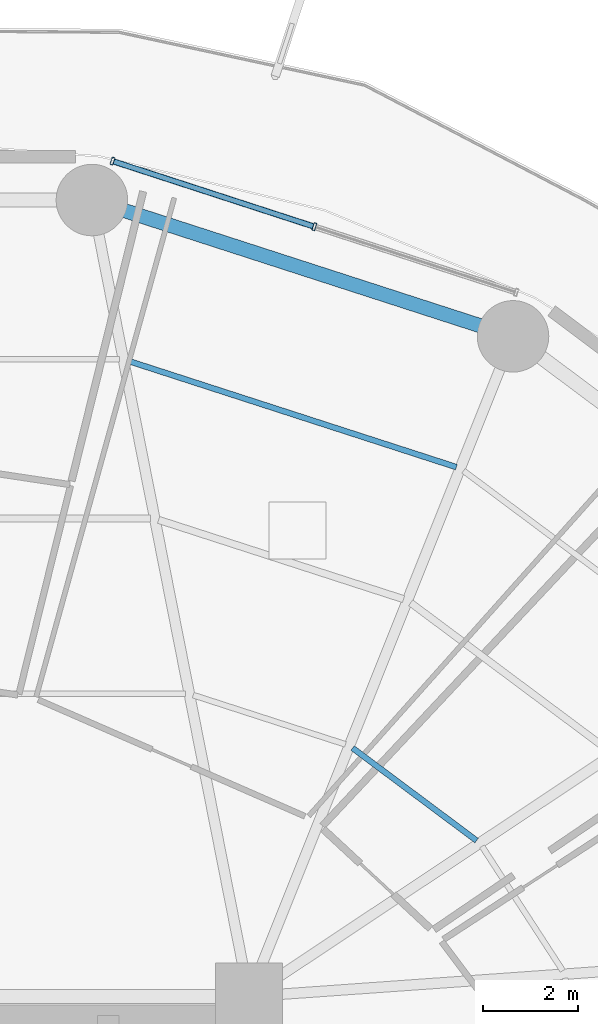
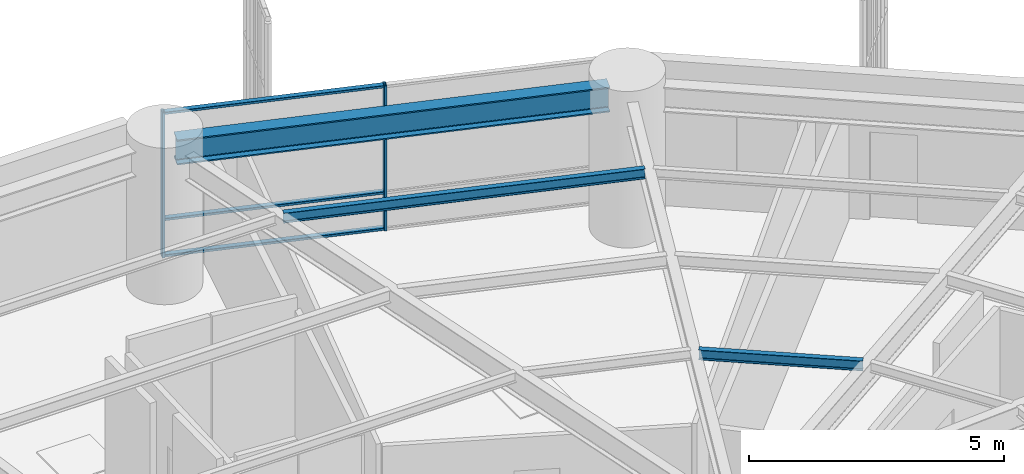
# One storey, part 19 of 35: 5 members, 3 beams, 1 element without a shape of its own.
"""IFC4 building model written with IfcOpenShell, lengths in metres."""

from ifc_helpers import new_model, si_unit, direction, frame, origin, origin_2d, place, context, subcontext, project, spatial, hollow_rectangle, i_section, extrude, material, layer, layer_set, material_profile, profile_set, type_object, element, aggregate, save


model = new_model("IFC4")

# Units and contexts
model_context = context("Model", 3, precision=1e-05, world=origin(), true_north=direction((0.0, 1.0)))
body_context = subcontext(model_context, "Body", "Model", "MODEL_VIEW")
ifc_project = project(units=[si_unit("LENGTHUNIT", "METRE"), si_unit("AREAUNIT", "SQUARE_METRE"), si_unit("VOLUMEUNIT", "CUBIC_METRE"), si_unit("PLANEANGLEUNIT", "RADIAN"), si_unit("MASSUNIT", "GRAM", prefix="KILO")], contexts=[model_context])

# Site, building, storey
site_placement = place(None, origin())
site = spatial("IfcSite", under=ifc_project, at=site_placement, CompositionType="ELEMENT")
building_placement = place(site_placement, origin())
building = spatial("IfcBuilding", under=site, at=building_placement, Name="Kelanora Arch Commons", CompositionType="ELEMENT")
storey_placement = place(building_placement, frame((0.0, 0.0, 22.5)))
storey = spatial("IfcBuildingStorey", under=building, at=storey_placement, Name="L05", CompositionType="ELEMENT", Elevation=22.5)

# Beams
ifc_material_1 = material(Name="Steel S355", Category="steel")
ifc_material_profile_1 = material_profile(ifc_material_1, i_section(OverallWidth=0.1201171875, OverallDepth=0.239990234375, WebThickness=0.006103515625, FlangeThickness=0.009765625, FilletRadius=0.014892578125, at=origin_2d()), Name="IPE240")
ifc_profile_set_1 = profile_set([ifc_material_profile_1], Name="Steel S355")
beam_type_1 = type_object("IfcBeamType", Name="BM-JST-02", PredefinedType="JOIST", material=ifc_profile_set_1)
beam_1_placement = place(storey_placement, frame((86.77490234375, 68.272705078125, 3.3701171875), z_axis=(-0.801513822608, 0.59797624716, 0.0), x_axis=(-0.59797624716, -0.801513822608, 0.0)))
element("IfcBeam", 1, at=beam_1_placement, inside=storey, type_object=beam_type_1, Name="Secondary Chord Joist BJA-04 L05", PredefinedType="JOIST", context=body_context, shape_type="SweptSolid", body=[
    extrude(i_section(OverallWidth=0.1201171875, OverallDepth=0.239990234375, WebThickness=0.006103515625, FlangeThickness=0.009765625, FilletRadius=0.014892578125, at=origin_2d()), origin(), (0.0, 0.0, 1.0), 3.245849609375),
])
beam_2_placement = place(storey_placement, frame((86.35107421875, 76.109375, 3.3701171875), z_axis=(-0.951410915705, 0.307924129418, 0.0), x_axis=(-0.307924129418, -0.951410915705, 0.0)))
element("IfcBeam", 2, at=beam_2_placement, inside=storey, type_object=beam_type_1, Name="Secondary Chord Joist BJC-06 L05", PredefinedType="JOIST", context=body_context, shape_type="SweptSolid", body=[
    extrude(i_section(OverallWidth=0.1201171875, OverallDepth=0.239990234375, WebThickness=0.006103515625, FlangeThickness=0.009765625, FilletRadius=0.014892578125, at=origin_2d()), origin(), (0.0, 0.0, 1.0), 7.260986328125),
])
ifc_material_profile_2 = material_profile(ifc_material_1, i_section(OverallWidth=0.300048828125, OverallDepth=0.60009765625, WebThickness=0.015380859375, FlangeThickness=0.030029296875, FilletRadius=0.027099609375, at=origin_2d()), Name="HEB600")
ifc_profile_set_2 = profile_set([ifc_material_profile_2], Name="Steel S355")
beam_type_2 = type_object("IfcBeamType", Name="BM-SPN-Z1", PredefinedType="SPANDREL", material=ifc_profile_set_2)
beam_3_placement = place(storey_placement, frame((87.178466796875, 78.970947265625, 3.18994140625), z_axis=(-0.951411839042, 0.307921276515, 0.0), x_axis=(-0.307921276515, -0.951411839042, 0.0)))
element("IfcBeam", 3, at=beam_3_placement, inside=storey, type_object=beam_type_2, Name="Perimeter Spandrel Beam BS-06 L05", PredefinedType="SPANDREL", context=body_context, shape_type="SweptSolid", body=[
    extrude(i_section(OverallWidth=0.300048828125, OverallDepth=0.60009765625, WebThickness=0.015380859375, FlangeThickness=0.030029296875, FilletRadius=0.027099609375, at=origin_2d()), origin(), (0.0, 0.0, 1.0), 8.68896484375),
])

# Curtain wall, members
ifc_material_2 = material(Name="Terracotta ceramic-fritted low-E glass and aluminium", Category="masonry")
ifc_layer = layer(ifc_material_2, 0.159912109375)
ifc_layer_set = layer_set([ifc_layer], Name="Terracotta ceramic-fritted low-E glass and aluminium")
curtain_wall_type = type_object("IfcCurtainWallType", Name="CW-SYS-01", PredefinedType="NOTDEFINED", material=ifc_layer_set)
curtain_wall_placement = place(storey_placement, origin())
curtain_wall = element("IfcCurtainWall", 4, at=curtain_wall_placement, inside=storey, type_object=curtain_wall_type, Name="Unitised Curtain Wall L05-B03", PredefinedType="NOTDEFINED")
ifc_material_3 = material(Name="Powder-coated aluminium terracotta", Category="masonry")
ifc_material_profile_3 = material_profile(ifc_material_3, hollow_rectangle(XDim=0.159912109375, YDim=0.06005859375, WallThickness=0.0048828125, InnerFilletRadius=0.0048828125, OuterFilletRadius=0.010009765625, at=origin_2d()), Name="CWM160x60")
ifc_profile_set_3 = profile_set([ifc_material_profile_3], Name="Powder-coated aluminium terracotta")
member_type_1 = type_object("IfcMemberType", Name="CWM-STD", PredefinedType="MULLION", material=ifc_profile_set_3)
member_1_placement = place(storey_placement, frame((83.37109375, 81.15478515625, 0.0), z_axis=(0.0, 0.0, 1.0), x_axis=(-0.30905758454, -0.951043326793, 0.0)))
member_1 = element("IfcMember", 5, at=member_1_placement, type_object=member_type_1, Name="CW-01 mullion 2", PredefinedType="MULLION", context=body_context, shape_type="SweptSolid", body=[
    extrude(hollow_rectangle(XDim=0.159912109375, YDim=0.06005859375, WallThickness=0.0048828125, InnerFilletRadius=0.0048828125, OuterFilletRadius=0.010009765625, at=origin_2d()), origin(), (0.0, 0.0, 1.0), 3.47509765625),
])
member_2_placement = place(storey_placement, frame((79.134521484375, 82.53173828125, 0.0), z_axis=(0.0, 0.0, 1.0), x_axis=(-0.30905758454, -0.951043326793, 0.0)))
member_2 = element("IfcMember", 6, at=member_2_placement, type_object=member_type_1, Name="CW-01 mullion 3", PredefinedType="MULLION", context=body_context, shape_type="SweptSolid", body=[
    extrude(hollow_rectangle(XDim=0.159912109375, YDim=0.06005859375, WallThickness=0.0048828125, InnerFilletRadius=0.0048828125, OuterFilletRadius=0.010009765625, at=origin_2d()), origin(), (0.0, 0.0, 1.0), 3.47509765625),
])
ifc_material_profile_4 = material_profile(ifc_material_3, hollow_rectangle(XDim=0.1201171875, YDim=0.06005859375, WallThickness=0.0048828125, InnerFilletRadius=0.0048828125, OuterFilletRadius=0.010009765625, at=origin_2d()), Name="CWT120x60")
ifc_profile_set_4 = profile_set([ifc_material_profile_4], Name="Powder-coated aluminium terracotta")
member_type_2 = type_object("IfcMemberType", Name="CWT-STD", PredefinedType="USERDEFINED", material=ifc_profile_set_4)
member_3_placement = place(storey_placement, frame((83.342529296875, 81.1640625, 0.030029296875), z_axis=(-0.951028761285, 0.309102402464, 0.0), x_axis=(-0.309102402464, -0.951028761285, 0.0)))
member_3 = element("IfcMember", 7, at=member_3_placement, type_object=member_type_2, Name="CW-01 transom 2.1", ObjectType="TRANSOM", PredefinedType="USERDEFINED", context=body_context, shape_type="SweptSolid", body=[
    extrude(hollow_rectangle(XDim=0.1201171875, YDim=0.06005859375, WallThickness=0.0048828125, InnerFilletRadius=0.0048828125, OuterFilletRadius=0.010009765625, at=origin_2d()), origin(), (0.0, 0.0, 1.0), 4.394775390625),
])
member_4_placement = place(storey_placement, frame((83.342529296875, 81.1640625, 0.89990234375), z_axis=(-0.951028761285, 0.309102402464, 0.0), x_axis=(-0.309102402464, -0.951028761285, 0.0)))
member_4 = element("IfcMember", 8, at=member_4_placement, type_object=member_type_2, Name="CW-01 transom 2.2", ObjectType="TRANSOM", PredefinedType="USERDEFINED", context=body_context, shape_type="SweptSolid", body=[
    extrude(hollow_rectangle(XDim=0.1201171875, YDim=0.06005859375, WallThickness=0.0048828125, InnerFilletRadius=0.0048828125, OuterFilletRadius=0.010009765625, at=origin_2d()), origin(), (0.0, 0.0, 1.0), 4.394775390625),
])
member_5_placement = place(storey_placement, frame((83.342529296875, 81.1640625, 3.445068359375), z_axis=(-0.951028761285, 0.309102402464, 0.0), x_axis=(-0.309102402464, -0.951028761285, 0.0)))
member_5 = element("IfcMember", 9, at=member_5_placement, type_object=member_type_2, Name="CW-01 transom 2.3", ObjectType="TRANSOM", PredefinedType="USERDEFINED", context=body_context, shape_type="SweptSolid", body=[
    extrude(hollow_rectangle(XDim=0.1201171875, YDim=0.06005859375, WallThickness=0.0048828125, InnerFilletRadius=0.0048828125, OuterFilletRadius=0.010009765625, at=origin_2d()), origin(), (0.0, 0.0, 1.0), 4.394775390625),
])
aggregate(curtain_wall, [member_1, member_2, member_3, member_4, member_5])

save(model, "model.ifc")
